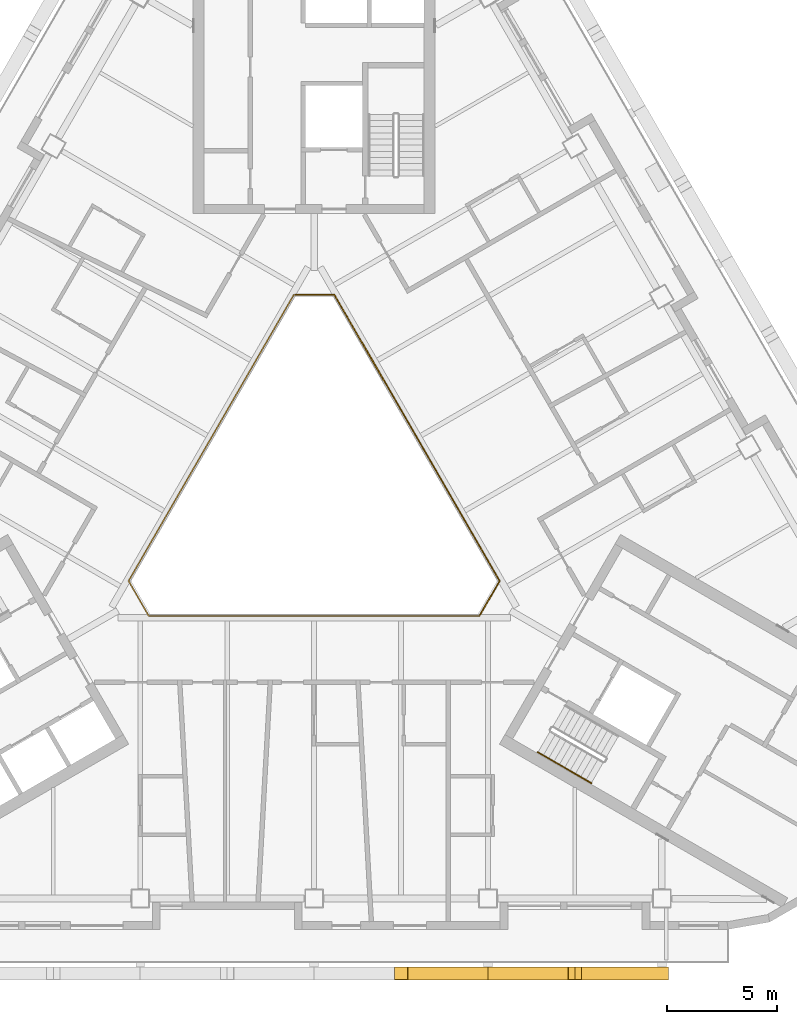
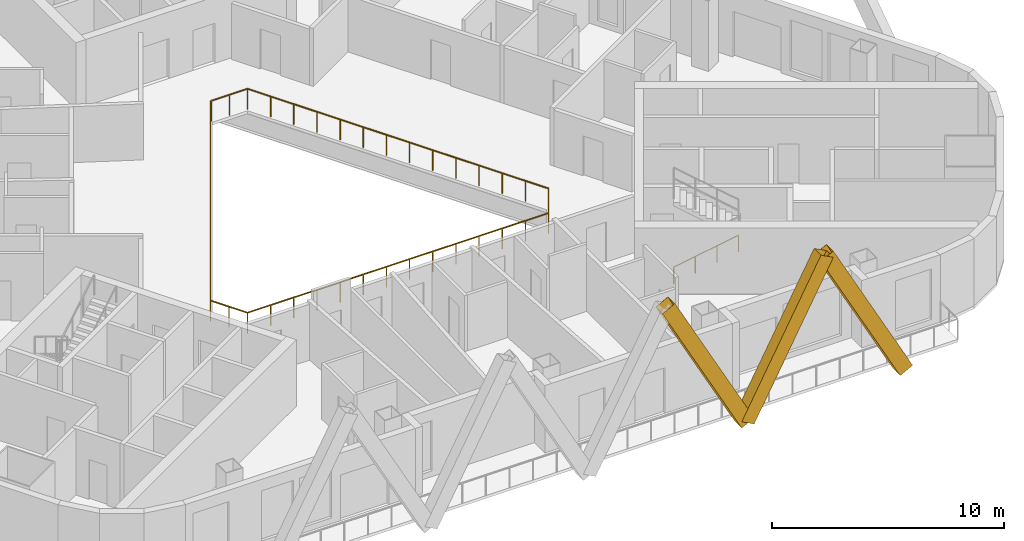
# One storey, part 14 of 17: 3 railings, 3 shading devices.
"""IFC4 building model written with IfcOpenShell, lengths in metres."""

import ifcopenshell
import ifcopenshell.guid

model = None  # the IFC model being written
_history = None  # IfcOwnerHistory: only IFC2X3 demands one
_inside = {}  # id of a spatial element -> (the spatial element, [elements in it])
_under = {}  # id of a project, library or spatial element -> (it, [spatial elements below it])
_declared = {}  # id of a project -> (the project, [libraries it declares])
_typed = {}  # id of a type object -> (the type object, [elements of that type])
_made_of = {}  # id of a material, layer set ... -> (it, [elements and type objects made of it])


def new_model(schema):
    """Start an empty IFC model of exactly this schema.

    Asked for "IFC4X3", IfcOpenShell would pick the latest addendum, in which some entities
    have other attributes; the version numbers below select the first issue.
    IFC2X3 requires an IfcOwnerHistory on every rooted entity: one is made here for all.
    """
    global model, _history
    if schema == "IFC4X3":
        model = ifcopenshell.file(schema_version=(4, 3, 0, 0))
    else:
        model = ifcopenshell.file(schema=schema)
    _inside.clear()
    _under.clear()
    _declared.clear()
    _typed.clear()
    _made_of.clear()
    _history = None
    if model.schema == "IFC2X3":
        org = make("IfcOrganization", Name="unknown")
        user = make(
            "IfcPersonAndOrganization",
            ThePerson=make("IfcPerson", FamilyName="unknown"),
            TheOrganization=org,
        )
        app = make(
            "IfcApplication",
            ApplicationDeveloper=org,
            Version="unknown",
            ApplicationFullName="unknown",
            ApplicationIdentifier="unknown",
        )
        _history = make(
            "IfcOwnerHistory",
            OwningUser=user,
            OwningApplication=app,
            ChangeAction="ADDED",
            CreationDate=0,
        )
    return model


def make(cls, **values):
    """One entity of the class cls with the attributes given. An attribute that is None is left unset."""
    return model.create_entity(
        cls, **{name: value for name, value in values.items() if value is not None}
    )


def rooted(cls, **values):
    """An entity with a GlobalId (a new one), such as an element, a storey or a relation."""
    return make(cls, GlobalId=ifcopenshell.guid.new(), OwnerHistory=_history, **values)


def si_unit(unit_type, name, prefix=None):
    """IfcSIUnit, for example si_unit("LENGTHUNIT", "METRE", prefix="MILLI")."""
    return make("IfcSIUnit", UnitType=unit_type, Prefix=prefix, Name=name)


def assignment(units):
    """IfcUnitAssignment: the units of a project."""
    return None if units is None else make("IfcUnitAssignment", Units=units)


def point(xyz):
    """IfcCartesianPoint."""
    return None if xyz is None else make("IfcCartesianPoint", Coordinates=xyz)


def direction(xyz):
    """IfcDirection."""
    return None if xyz is None else make("IfcDirection", DirectionRatios=xyz)


def frame(location, z_axis=None, x_axis=None):
    """IfcAxis2Placement3D, a coordinate frame: its origin and axes. An axis left out is left unset."""
    return make(
        "IfcAxis2Placement3D",
        Location=point(location),
        Axis=direction(z_axis),
        RefDirection=direction(x_axis),
    )


def frame_2d(location, x_axis=None):
    """IfcAxis2Placement2D, a coordinate frame in the plane: its origin and x axis."""
    return make(
        "IfcAxis2Placement2D", Location=point(location), RefDirection=direction(x_axis)
    )


def origin():
    """The frame at (0, 0, 0) with its axes left unset."""
    return frame((0.0, 0.0, 0.0))


def origin_2d():
    """The frame at (0, 0) in the plane with its x axis left unset."""
    return frame_2d((0.0, 0.0))


def place(relative_to, where):
    """IfcLocalPlacement: puts the frame where relative to a parent placement (None: the world)."""
    return make(
        "IfcLocalPlacement", PlacementRelTo=relative_to, RelativePlacement=where
    )


def context(
    kind, dimensions, precision=None, world=None, true_north=None, identifier=None
):
    """IfcGeometricRepresentationContext, for example the 3D "Model" context."""
    return make(
        "IfcGeometricRepresentationContext",
        ContextIdentifier=identifier,
        ContextType=kind,
        CoordinateSpaceDimension=dimensions,
        Precision=precision,
        WorldCoordinateSystem=world,
        TrueNorth=true_north,
    )


def subcontext(parent, identifier, kind, view, scale=None):
    """IfcGeometricRepresentationSubContext, for example "Body" below "Model"."""
    return make(
        "IfcGeometricRepresentationSubContext",
        ContextIdentifier=identifier,
        ContextType=kind,
        ParentContext=parent,
        TargetScale=scale,
        TargetView=view,
    )


def project(units=None, contexts=None):
    """IfcProject with its units and contexts."""
    return rooted(
        "IfcProject",
        Name="project",
        RepresentationContexts=contexts,
        UnitsInContext=assignment(units),
    )


def spatial(cls, under=None, at=None, **own):
    """A site, building, storey or space (cls), placed at a placement, below another one or the project."""
    s = rooted(cls, ObjectPlacement=at, **own)
    if under is not None:
        _under.setdefault(under.id(), (under, []))[1].append(s)
    return s


def profile(cls, at=None, kind="AREA", **sizes):
    """A parametric profile (cls). Its sizes go by their IFC names, for example OverallWidth=200.0."""
    return make(cls, ProfileType=kind, Position=at, **sizes)


def rectangle(**sizes):
    """IfcRectangleProfileDef."""
    return profile("IfcRectangleProfileDef", **sizes)


def hollow_rectangle(**sizes):
    """IfcRectangleHollowProfileDef."""
    return profile("IfcRectangleHollowProfileDef", **sizes)


def circle(**sizes):
    """IfcCircleProfileDef."""
    return profile("IfcCircleProfileDef", **sizes)


def extrude(swept, where, along, depth):
    """IfcExtrudedAreaSolid: the profile swept, set in the frame where, extruded along a direction by depth."""
    return make(
        "IfcExtrudedAreaSolid",
        SweptArea=swept,
        Position=where,
        ExtrudedDirection=direction(along),
        Depth=depth,
    )


def shape(context_of_items, identifier, shape_type, items):
    """IfcShapeRepresentation: the items that make up one representation, for example the "Body"."""
    return make(
        "IfcShapeRepresentation",
        ContextOfItems=context_of_items,
        RepresentationIdentifier=identifier,
        RepresentationType=shape_type,
        Items=items,
    )


def material(Name=None, Category=None):
    """IfcMaterial."""
    return make("IfcMaterial", Name=Name, Category=Category)


def material_profile(
    of_material, cross_section, Name=None, Category=None, Priority=None
):
    """IfcMaterialProfile: a cross section and its material."""
    return make(
        "IfcMaterialProfile",
        Name=Name,
        Material=of_material,
        Profile=cross_section,
        Priority=Priority,
        Category=Category,
    )


def profile_set(profiles, Name=None, composite=None):
    """IfcMaterialProfileSet."""
    return make(
        "IfcMaterialProfileSet",
        Name=Name,
        MaterialProfiles=profiles,
        CompositeProfile=composite,
    )


def made_of(thing, what):
    """Note that an element or type object is made of a material, layer set ...; save() writes the relation."""
    if what is not None:
        _made_of.setdefault(what.id(), (what, []))[1].append(thing)
    return thing


def type_object(cls, material=None, **own):
    """A type object (cls), such as IfcWallType, which elements share."""
    return made_of(rooted(cls, **own), material)


def element(
    cls,
    number,
    at=None,
    inside=None,
    cuts=None,
    type_object=None,
    material=None,
    context=None,
    identifier="Body",
    shape_type=None,
    held_by="IfcProductDefinitionShape",
    body=None,
    shapes=None,
    **own,
):
    """One element of the class cls, such as IfcWall. Its Tag is "e" and its number.

    at: its placement. inside: the storey or other place that contains it. cuts: it is an
    opening in that element (IfcRelVoidsElement). A single representation is given by context,
    identifier, shape_type and body (its items); several are given by shapes. held_by: the class
    of the entity that holds the representations. save() writes the other relations.
    """
    e = rooted(cls, Tag="e%d" % number, ObjectPlacement=at, **own)
    if body is not None:
        shapes = [shape(context, identifier, shape_type, body)]
    if shapes is not None:
        e.Representation = make(held_by, Representations=shapes)
    if inside is not None:
        _inside.setdefault(inside.id(), (inside, []))[1].append(e)
    if cuts is not None:
        rooted(
            "IfcRelVoidsElement", RelatingBuildingElement=cuts, RelatedOpeningElement=e
        )
    if type_object is not None:
        _typed.setdefault(type_object.id(), (type_object, []))[1].append(e)
    return made_of(e, material)


def aggregate(whole, parts):
    """IfcRelAggregates: a whole, such as a stair, and the parts it consists of."""
    return rooted("IfcRelAggregates", RelatingObject=whole, RelatedObjects=parts)


def save(model, path):
    """Write the relations noted so far, then the file.

    IfcRelAggregates (storeys below a building ...), IfcRelContainedInSpatialStructure (elements
    in a storey), IfcRelDefinesByType, IfcRelAssociatesMaterial and IfcRelDeclares: one each for
    every whole, place, type object, material and project.
    """
    for whole, parts in _under.values():
        aggregate(whole, parts)
    for where, things in _inside.values():
        rooted(
            "IfcRelContainedInSpatialStructure",
            RelatedElements=things,
            RelatingStructure=where,
        )
    for kind, things in _typed.values():
        rooted("IfcRelDefinesByType", RelatedObjects=things, RelatingType=kind)
    for what, things in _made_of.values():
        rooted("IfcRelAssociatesMaterial", RelatedObjects=things, RelatingMaterial=what)
    for by, libraries in _declared.values():
        rooted("IfcRelDeclares", RelatingContext=by, RelatedDefinitions=libraries)
    model.write(path)


model = new_model("IFC4")

# Units and contexts
model_context = context("Model", 3, precision=1e-05, world=origin(), true_north=direction((0.0, 1.0)))
body_context = subcontext(model_context, "Body", "Model", "MODEL_VIEW")
ifc_project = project(units=[si_unit("LENGTHUNIT", "METRE"), si_unit("AREAUNIT", "SQUARE_METRE"), si_unit("VOLUMEUNIT", "CUBIC_METRE"), si_unit("PLANEANGLEUNIT", "RADIAN"), si_unit("MASSUNIT", "GRAM", prefix="KILO")], contexts=[model_context])

# Site, building, storey
site_placement = place(None, origin())
site = spatial("IfcSite", under=ifc_project, at=site_placement, CompositionType="ELEMENT")
building_placement = place(site_placement, origin())
building = spatial("IfcBuilding", under=site, at=building_placement, Name="Apuvela Tower Hotel", CompositionType="ELEMENT")
storey_placement = place(building_placement, frame((0.0, 0.0, 146.60009765625)))
storey = spatial("IfcBuildingStorey", under=building, at=storey_placement, Name="L34", CompositionType="ELEMENT", Elevation=146.60009765625)

# Railing
ifc_material_1 = material(Name="Stainless steel 316 handrail", Category="steel")
railing_type_1 = type_object("IfcRailingType", Name="COR-HANDRAIL-900", PredefinedType="HANDRAIL", material=ifc_material_1)
railing_1_placement = place(storey_placement, frame((10.1689453125, -11.5869140625, 0.16796875)))
element("IfcRailing", 1, at=railing_1_placement, inside=storey, type_object=railing_type_1, Name="L34 ST3 stair handrail 1", PredefinedType="HANDRAIL", context=body_context, shape_type="SweptSolid", body=[
    extrude(circle(Radius=0.02392578125, at=origin_2d()), frame((0.0, 0.0, 0.8759765625), z_axis=(0.742390482028, -0.42860119049, 0.514934356695), x_axis=(0.49998411664, 0.866034573852, 0.0)), (0.0, 0.0, 1.0), 3.26611328125),
    extrude(rectangle(XDim=0.0419921875, YDim=0.0419921875, at=origin_2d()), origin(), (0.0, 0.0, 1.0), 0.851806640625),
    extrude(rectangle(XDim=0.0419921875, YDim=0.0419921875, at=origin_2d()), frame((0.808349609375, -0.466552734375, 0.560546875)), (0.0, 0.0, 1.0), 0.851806640625),
    extrude(rectangle(XDim=0.0419921875, YDim=0.0419921875, at=origin_2d()), frame((1.616455078125, -0.933349609375, 1.121337890625)), (0.0, 0.0, 1.0), 0.851806640625),
    extrude(rectangle(XDim=0.0419921875, YDim=0.0419921875, at=origin_2d()), frame((2.4248046875, -1.39990234375, 1.681884765625)), (0.0, 0.0, 1.0), 0.851806640625),
])

# Shading devices
ifc_material_2 = material(Name="Aluminium 6063-T6, black anodised", Category="aluminium")
ifc_material_profile = material_profile(ifc_material_2, hollow_rectangle(XDim=0.60009765625, YDim=0.699951171875, WallThickness=0.011962890625, at=origin_2d()), Name="AL BOX 700x600x12")
ifc_profile_set = profile_set([ifc_material_profile], Name="Aluminium 6063-T6, black anodised")
shading_device_type = type_object("IfcShadingDeviceType", Name="ENV-FIN-700x600", PredefinedType="USERDEFINED", material=ifc_profile_set)
for number, where, z_axis, x_axis, name in (
    (2, (7.89990234375, -21.6298828125, -0.10009765625), (-0.470897892863, 0.0, 0.882187720668), (0.0, -1.0, 0.0), "Lattice fin S294"),
    (3, (7.89990234375, -21.6298828125, -0.10009765625), (0.470920543904, 0.0, 0.882175629526), (0.0, 1.0, 0.0), "Lattice fin S295"),
    (4, (15.800048828125, -21.6298828125, -0.10009765625), (-0.470897892863, 0.0, 0.882187720668), (0.0, -1.0, 0.0), "Lattice fin S296"),
):
    element("IfcShadingDevice", number, at=place(storey_placement, frame(where, z_axis=z_axis, x_axis=x_axis)), inside=storey, type_object=shading_device_type, Name=name, ObjectType="FIN", PredefinedType="USERDEFINED", context=body_context, shape_type="SweptSolid", body=[
        extrude(hollow_rectangle(XDim=0.60009765625, YDim=0.699951171875, WallThickness=0.011962890625, at=origin_2d()), origin(), (0.0, 0.0, 1.0), 8.38818359375),
    ])

# Railings
ifc_material_3 = material(Name="Stainless steel 316 rail with laminated glass infill", Category="steel")
railing_type_2 = type_object("IfcRailingType", Name="ENV-GUARD-1100", PredefinedType="GUARDRAIL", material=ifc_material_3)
railing_2_placement = place(storey_placement, frame((-0.923828125, 9.199951171875, 0.0)))
element("IfcRailing", 5, at=railing_2_placement, inside=storey, type_object=railing_type_2, Name="Atrium void guard A L34", PredefinedType="GUARDRAIL", context=body_context, shape_type="SweptSolid", body=[
    extrude(rectangle(XDim=0.050048828125, YDim=0.050048828125, at=origin_2d()), frame((0.0, 0.0, 1.0751953125), z_axis=(-0.499990886379, -0.866030665472, 0.0), x_axis=(0.866030665472, -0.499990886379, 0.0)), (0.0, 0.0, 1.0), 15.010986328125),
    extrude(rectangle(XDim=0.050048828125, YDim=0.050048828125, at=origin_2d()), frame((-7.50537109375, -13.0, 1.0751953125), z_axis=(0.499962699187, -0.866046938348, 0.0), x_axis=(0.866046938348, 0.499962699187, 0.0)), (0.0, 0.0, 1.0), 1.847412109375),
    extrude(rectangle(XDim=0.050048828125, YDim=0.050048828125, at=origin_2d()), frame((-6.581787109375, -14.599853515625, 1.0751953125), z_axis=(1.0, 0.0, 0.0), x_axis=(0.0, 1.0, 0.0)), (0.0, 0.0, 1.0), 15.01123046875),
    extrude(rectangle(XDim=0.0400390625, YDim=0.0400390625, at=origin_2d()), origin(), (0.0, 0.0, 1.0), 1.050048828125),
    extrude(rectangle(XDim=0.0400390625, YDim=0.0400390625, at=origin_2d()), frame((-0.577392578125, -1.0, 0.0)), (0.0, 0.0, 1.0), 1.050048828125),
    extrude(rectangle(XDim=0.0400390625, YDim=0.0400390625, at=origin_2d()), frame((-1.15478515625, -2.0, 0.0)), (0.0, 0.0, 1.0), 1.050048828125),
    extrude(rectangle(XDim=0.0400390625, YDim=0.0400390625, at=origin_2d()), frame((-1.73193359375, -3.0, 0.0)), (0.0, 0.0, 1.0), 1.050048828125),
    extrude(rectangle(XDim=0.0400390625, YDim=0.0400390625, at=origin_2d()), frame((-2.309326171875, -4.0, 0.0)), (0.0, 0.0, 1.0), 1.050048828125),
    extrude(rectangle(XDim=0.0400390625, YDim=0.0400390625, at=origin_2d()), frame((-2.88671875, -5.0, 0.0)), (0.0, 0.0, 1.0), 1.050048828125),
    extrude(rectangle(XDim=0.0400390625, YDim=0.0400390625, at=origin_2d()), frame((-3.464111328125, -6.0, 0.0)), (0.0, 0.0, 1.0), 1.050048828125),
    extrude(rectangle(XDim=0.0400390625, YDim=0.0400390625, at=origin_2d()), frame((-4.041259765625, -7.0, 0.0)), (0.0, 0.0, 1.0), 1.050048828125),
    extrude(rectangle(XDim=0.0400390625, YDim=0.0400390625, at=origin_2d()), frame((-4.61865234375, -8.0, 0.0)), (0.0, 0.0, 1.0), 1.050048828125),
    extrude(rectangle(XDim=0.0400390625, YDim=0.0400390625, at=origin_2d()), frame((-5.196044921875, -9.0, 0.0)), (0.0, 0.0, 1.0), 1.050048828125),
    extrude(rectangle(XDim=0.0400390625, YDim=0.0400390625, at=origin_2d()), frame((-5.7734375, -10.0, 0.0)), (0.0, 0.0, 1.0), 1.050048828125),
    extrude(rectangle(XDim=0.0400390625, YDim=0.0400390625, at=origin_2d()), frame((-6.3505859375, -11.0, 0.0)), (0.0, 0.0, 1.0), 1.050048828125),
    extrude(rectangle(XDim=0.0400390625, YDim=0.0400390625, at=origin_2d()), frame((-6.927978515625, -12.0, 0.0)), (0.0, 0.0, 1.0), 1.050048828125),
    extrude(rectangle(XDim=0.0400390625, YDim=0.0400390625, at=origin_2d()), frame((-7.50537109375, -13.0, 0.0)), (0.0, 0.0, 1.0), 1.050048828125),
    extrude(rectangle(XDim=0.0400390625, YDim=0.0400390625, at=origin_2d()), frame((-7.04345703125, -13.7998046875, 0.0)), (0.0, 0.0, 1.0), 1.050048828125),
    extrude(rectangle(XDim=0.0400390625, YDim=0.0400390625, at=origin_2d()), frame((-6.581787109375, -14.599853515625, 0.0)), (0.0, 0.0, 1.0), 1.050048828125),
    extrude(rectangle(XDim=0.0400390625, YDim=0.0400390625, at=origin_2d()), frame((-5.427001953125, -14.599853515625, 0.0)), (0.0, 0.0, 1.0), 1.050048828125),
    extrude(rectangle(XDim=0.0400390625, YDim=0.0400390625, at=origin_2d()), frame((-4.2724609375, -14.599853515625, 0.0)), (0.0, 0.0, 1.0), 1.050048828125),
    extrude(rectangle(XDim=0.0400390625, YDim=0.0400390625, at=origin_2d()), frame((-3.11767578125, -14.599853515625, 0.0)), (0.0, 0.0, 1.0), 1.050048828125),
    extrude(rectangle(XDim=0.0400390625, YDim=0.0400390625, at=origin_2d()), frame((-1.962890625, -14.599853515625, 0.0)), (0.0, 0.0, 1.0), 1.050048828125),
    extrude(rectangle(XDim=0.0400390625, YDim=0.0400390625, at=origin_2d()), frame((-0.808349609375, -14.599853515625, 0.0)), (0.0, 0.0, 1.0), 1.050048828125),
    extrude(rectangle(XDim=0.0400390625, YDim=0.0400390625, at=origin_2d()), frame((0.346435546875, -14.599853515625, 0.0)), (0.0, 0.0, 1.0), 1.050048828125),
    extrude(rectangle(XDim=0.0400390625, YDim=0.0400390625, at=origin_2d()), frame((1.501220703125, -14.599853515625, 0.0)), (0.0, 0.0, 1.0), 1.050048828125),
    extrude(rectangle(XDim=0.0400390625, YDim=0.0400390625, at=origin_2d()), frame((2.656005859375, -14.599853515625, 0.0)), (0.0, 0.0, 1.0), 1.050048828125),
    extrude(rectangle(XDim=0.0400390625, YDim=0.0400390625, at=origin_2d()), frame((3.810546875, -14.599853515625, 0.0)), (0.0, 0.0, 1.0), 1.050048828125),
    extrude(rectangle(XDim=0.0400390625, YDim=0.0400390625, at=origin_2d()), frame((4.96533203125, -14.599853515625, 0.0)), (0.0, 0.0, 1.0), 1.050048828125),
    extrude(rectangle(XDim=0.0400390625, YDim=0.0400390625, at=origin_2d()), frame((6.1201171875, -14.599853515625, 0.0)), (0.0, 0.0, 1.0), 1.050048828125),
    extrude(rectangle(XDim=0.0400390625, YDim=0.0400390625, at=origin_2d()), frame((7.274658203125, -14.599853515625, 0.0)), (0.0, 0.0, 1.0), 1.050048828125),
    extrude(rectangle(XDim=0.0400390625, YDim=0.0400390625, at=origin_2d()), frame((8.429443359375, -14.599853515625, 0.0)), (0.0, 0.0, 1.0), 1.050048828125),
])
railing_3_placement = place(storey_placement, frame((7.53564453125, -5.347900390625, 0.0)))
element("IfcRailing", 6, at=railing_3_placement, inside=storey, type_object=railing_type_2, Name="Atrium void guard B L34", PredefinedType="GUARDRAIL", context=body_context, shape_type="SweptSolid", body=[
    extrude(rectangle(XDim=0.050048828125, YDim=0.050048828125, at=origin_2d()), frame((0.0, 0.0, 1.0751953125), z_axis=(0.499958946799, 0.866049104564, 0.0), x_axis=(-0.866049104564, 0.499958946799, 0.0)), (0.0, 0.0, 1.0), 1.787353515625),
    extrude(rectangle(XDim=0.050048828125, YDim=0.050048828125, at=origin_2d()), frame((0.8935546875, 1.5478515625, 1.0751953125), z_axis=(-0.499990886379, 0.866030665472, 0.0), x_axis=(-0.866030665472, -0.499990886379, 0.0)), (0.0, 0.0, 1.0), 15.010986328125),
    extrude(rectangle(XDim=0.050048828125, YDim=0.050048828125, at=origin_2d()), frame((-6.61181640625, 14.5478515625, 1.0751953125), z_axis=(-1.0, 0.0, 0.0), x_axis=(0.0, -1.0, 0.0)), (0.0, 0.0, 1.0), 1.78759765625),
    extrude(rectangle(XDim=0.0400390625, YDim=0.0400390625, at=origin_2d()), origin(), (0.0, 0.0, 1.0), 1.050048828125),
    extrude(rectangle(XDim=0.0400390625, YDim=0.0400390625, at=origin_2d()), frame((0.44677734375, 0.77392578125, 0.0)), (0.0, 0.0, 1.0), 1.050048828125),
    extrude(rectangle(XDim=0.0400390625, YDim=0.0400390625, at=origin_2d()), frame((0.8935546875, 1.5478515625, 0.0)), (0.0, 0.0, 1.0), 1.050048828125),
    extrude(rectangle(XDim=0.0400390625, YDim=0.0400390625, at=origin_2d()), frame((0.316162109375, 2.5478515625, 0.0)), (0.0, 0.0, 1.0), 1.050048828125),
    extrude(rectangle(XDim=0.0400390625, YDim=0.0400390625, at=origin_2d()), frame((-0.26123046875, 3.5478515625, 0.0)), (0.0, 0.0, 1.0), 1.050048828125),
    extrude(rectangle(XDim=0.0400390625, YDim=0.0400390625, at=origin_2d()), frame((-0.83837890625, 4.5478515625, 0.0)), (0.0, 0.0, 1.0), 1.050048828125),
    extrude(rectangle(XDim=0.0400390625, YDim=0.0400390625, at=origin_2d()), frame((-1.415771484375, 5.5478515625, 0.0)), (0.0, 0.0, 1.0), 1.050048828125),
    extrude(rectangle(XDim=0.0400390625, YDim=0.0400390625, at=origin_2d()), frame((-1.9931640625, 6.5478515625, 0.0)), (0.0, 0.0, 1.0), 1.050048828125),
    extrude(rectangle(XDim=0.0400390625, YDim=0.0400390625, at=origin_2d()), frame((-2.570556640625, 7.5478515625, 0.0)), (0.0, 0.0, 1.0), 1.050048828125),
    extrude(rectangle(XDim=0.0400390625, YDim=0.0400390625, at=origin_2d()), frame((-3.147705078125, 8.5478515625, 0.0)), (0.0, 0.0, 1.0), 1.050048828125),
    extrude(rectangle(XDim=0.0400390625, YDim=0.0400390625, at=origin_2d()), frame((-3.72509765625, 9.5478515625, 0.0)), (0.0, 0.0, 1.0), 1.050048828125),
    extrude(rectangle(XDim=0.0400390625, YDim=0.0400390625, at=origin_2d()), frame((-4.302490234375, 10.5478515625, 0.0)), (0.0, 0.0, 1.0), 1.050048828125),
    extrude(rectangle(XDim=0.0400390625, YDim=0.0400390625, at=origin_2d()), frame((-4.8798828125, 11.5478515625, 0.0)), (0.0, 0.0, 1.0), 1.050048828125),
    extrude(rectangle(XDim=0.0400390625, YDim=0.0400390625, at=origin_2d()), frame((-5.45703125, 12.5478515625, 0.0)), (0.0, 0.0, 1.0), 1.050048828125),
    extrude(rectangle(XDim=0.0400390625, YDim=0.0400390625, at=origin_2d()), frame((-6.034423828125, 13.5478515625, 0.0)), (0.0, 0.0, 1.0), 1.050048828125),
    extrude(rectangle(XDim=0.0400390625, YDim=0.0400390625, at=origin_2d()), frame((-6.61181640625, 14.5478515625, 0.0)), (0.0, 0.0, 1.0), 1.050048828125),
    extrude(rectangle(XDim=0.0400390625, YDim=0.0400390625, at=origin_2d()), frame((-7.505615234375, 14.5478515625, 0.0)), (0.0, 0.0, 1.0), 1.050048828125),
    extrude(rectangle(XDim=0.0400390625, YDim=0.0400390625, at=origin_2d()), frame((-8.3994140625, 14.5478515625, 0.0)), (0.0, 0.0, 1.0), 1.050048828125),
])

save(model, "model.ifc")
